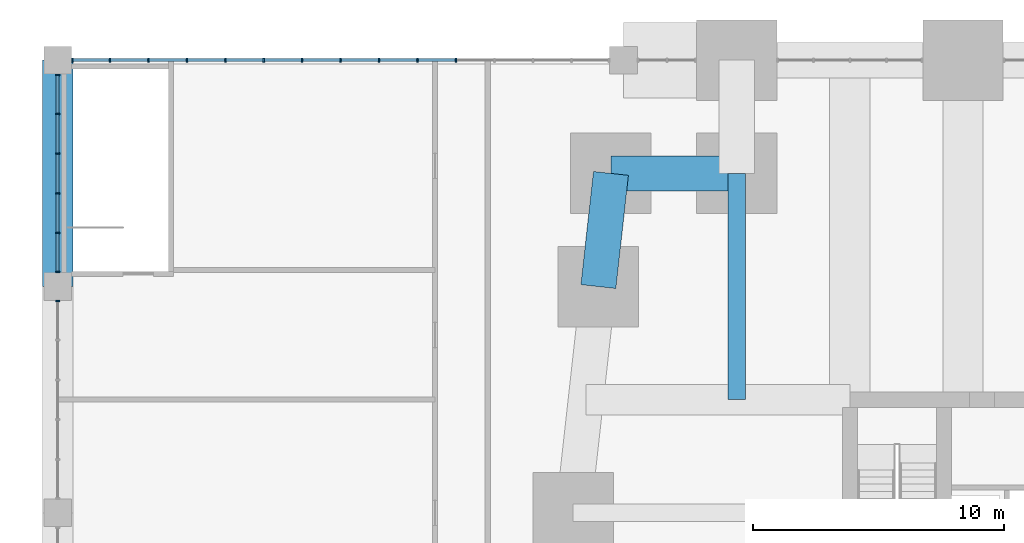
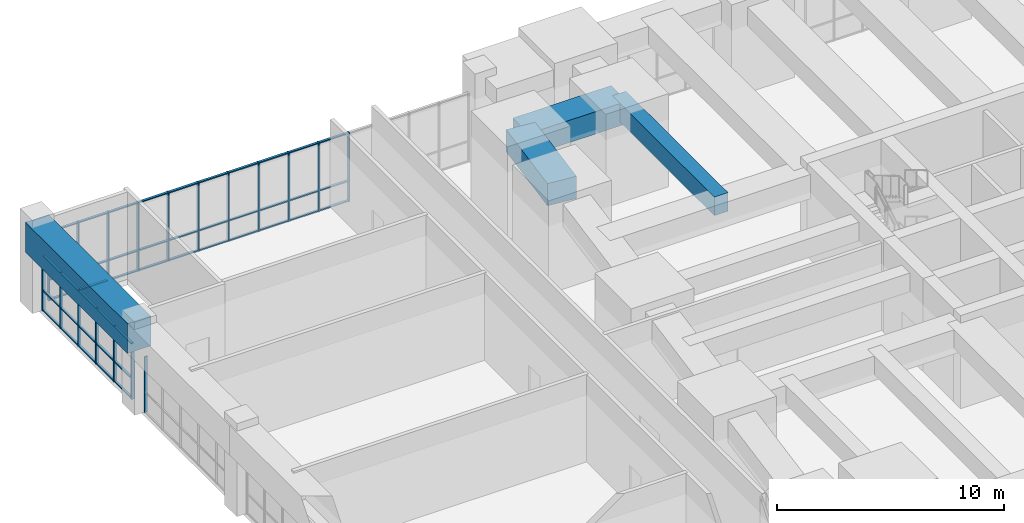
# One storey, part 8 of 22: 63 members, 4 beams, 3 elements without a shape of their own.
"""IFC4 building model written with IfcOpenShell, lengths in metres."""

from ifc_helpers import new_model, si_unit, direction, frame, origin, origin_2d, place, context, subcontext, project, spatial, rectangle, extrude, material, material_profile, profile_set, type_object, element, aggregate, save


model = new_model("IFC4")

# Units and contexts
model_context = context("Model", 3, precision=1e-05, world=origin(), true_north=direction((0.0, 1.0)))
body_context = subcontext(model_context, "Body", "Model", "MODEL_VIEW")
ifc_project = project(units=[si_unit("LENGTHUNIT", "METRE"), si_unit("AREAUNIT", "SQUARE_METRE"), si_unit("VOLUMEUNIT", "CUBIC_METRE"), si_unit("PLANEANGLEUNIT", "RADIAN"), si_unit("MASSUNIT", "GRAM", prefix="KILO")], contexts=[model_context])

# Site, building, storey
site_placement = place(None, origin())
site = spatial("IfcSite", under=ifc_project, at=site_placement, CompositionType="ELEMENT")
building_placement = place(site_placement, origin())
building = spatial("IfcBuilding", under=site, at=building_placement, Name="Kilele Tower Hotel", CompositionType="ELEMENT")
storey_placement = place(building_placement, frame((0.0, 0.0, 19.0)))
storey = spatial("IfcBuildingStorey", under=building, at=storey_placement, Name="L03", CompositionType="ELEMENT", Elevation=19.0)

# Beams
ifc_material_1 = material(Name="Concrete C60/75", Category="concrete")
ifc_material_profile_1 = material_profile(ifc_material_1, rectangle(XDim=1.199951171875, YDim=1.60009765625, at=origin_2d()))
ifc_profile_set_1 = profile_set([ifc_material_profile_1], Name="Concrete C60/75")
beam_type_1 = type_object("IfcBeamType", Name="Beam RC 1200x1600 C60/75", PredefinedType="BEAM", material=ifc_profile_set_1)
beam_1_placement = place(storey_placement, frame((-18.0, 31.5, 3.800048828125), z_axis=(0.0, 1.0, 0.0), x_axis=(-1.0, 0.0, 0.0)))
element("IfcBeam", 1, at=beam_1_placement, inside=storey, type_object=beam_type_1, Name="Beam PB2 level L04", PredefinedType="BEAM", context=body_context, shape_type="SweptSolid", body=[
    extrude(rectangle(XDim=1.199951171875, YDim=1.60009765625, at=origin_2d()), origin(), (0.0, 0.0, 1.0), 9.0),
])
ifc_material_2 = material(Name="Concrete C60/75", Category="concrete")
ifc_material_profile_2 = material_profile(ifc_material_2, rectangle(XDim=0.699951171875, YDim=1.0, at=origin_2d()))
ifc_profile_set_2 = profile_set([ifc_material_profile_2], Name="Concrete C60/75")
beam_type_2 = type_object("IfcBeamType", Name="Beam RC 700x1000 C60/75 mid span", PredefinedType="BEAM", material=ifc_profile_set_2)
beam_2_placement = place(storey_placement, frame((9.0, 36.0, 4.10009765625), z_axis=(0.0, -1.0, 0.0), x_axis=(1.0, 0.0, 0.0)))
element("IfcBeam", 2, at=beam_2_placement, inside=storey, type_object=beam_type_2, Name="Beam B5 level L04", PredefinedType="BEAM", context=body_context, shape_type="SweptSolid", body=[
    extrude(rectangle(XDim=0.699951171875, YDim=1.0, at=origin_2d()), origin(), (0.0, 0.0, 1.0), 9.0),
])

# Curtain wall, members
ifc_material_3 = material(Name="Aluminium curtain wall, clear double glazing", Category="aluminium")
curtain_wall_type_1 = type_object("IfcCurtainWallType", Name="Podium curtain wall CW-1", PredefinedType="NOTDEFINED", material=ifc_material_3)
curtain_wall_1_placement = place(storey_placement, origin())
curtain_wall_1 = element("IfcCurtainWall", 3, at=curtain_wall_1_placement, inside=storey, type_object=curtain_wall_type_1, Name="Podium curtain wall CW-1 L03", PredefinedType="NOTDEFINED")
ifc_material_4 = material(Name="Aluminium EN AW-6063 T6", Category="aluminium")
ifc_material_profile_3 = material_profile(ifc_material_4, rectangle(XDim=0.159912109375, YDim=0.06005859375, at=origin_2d()))
ifc_profile_set_3 = profile_set([ifc_material_profile_3], Name="Aluminium EN AW-6063 T6")
member_type_1 = type_object("IfcMemberType", Name="Mullion 60x160 CW-1", PredefinedType="MULLION", material=ifc_profile_set_3)
member_1_placement = place(storey_placement, frame((-2.164306640625, 40.5, 0.0), z_axis=(0.0, 0.0, 1.0), x_axis=(0.0, -1.0, 0.0)))
member_1 = element("IfcMember", 4, at=member_1_placement, type_object=member_type_1, Name="CW-1 mullion 5", PredefinedType="MULLION", context=body_context, shape_type="SweptSolid", body=[
    extrude(rectangle(XDim=0.159912109375, YDim=0.06005859375, at=origin_2d()), origin(), (0.0, 0.0, 1.0), 3.699951171875),
])
member_2_placement = place(storey_placement, frame((-3.69287109375, 40.5, 0.0), z_axis=(0.0, 0.0, 1.0), x_axis=(0.0, -1.0, 0.0)))
member_2 = element("IfcMember", 5, at=member_2_placement, type_object=member_type_1, Name="CW-1 mullion 6", PredefinedType="MULLION", context=body_context, shape_type="SweptSolid", body=[
    extrude(rectangle(XDim=0.159912109375, YDim=0.06005859375, at=origin_2d()), origin(), (0.0, 0.0, 1.0), 3.699951171875),
])
member_3_placement = place(storey_placement, frame((-5.221435546875, 40.5, 0.0), z_axis=(0.0, 0.0, 1.0), x_axis=(0.0, -1.0, 0.0)))
member_3 = element("IfcMember", 6, at=member_3_placement, type_object=member_type_1, Name="CW-1 mullion 7", PredefinedType="MULLION", context=body_context, shape_type="SweptSolid", body=[
    extrude(rectangle(XDim=0.159912109375, YDim=0.06005859375, at=origin_2d()), origin(), (0.0, 0.0, 1.0), 3.699951171875),
])
member_4_placement = place(storey_placement, frame((-6.75, 40.5, 0.0), z_axis=(0.0, 0.0, 1.0), x_axis=(0.0, -1.0, 0.0)))
member_4 = element("IfcMember", 7, at=member_4_placement, type_object=member_type_1, Name="CW-1 mullion 8", PredefinedType="MULLION", context=body_context, shape_type="SweptSolid", body=[
    extrude(rectangle(XDim=0.159912109375, YDim=0.06005859375, at=origin_2d()), origin(), (0.0, 0.0, 1.0), 3.699951171875),
])
member_5_placement = place(storey_placement, frame((-8.278564453125, 40.5, 0.0), z_axis=(0.0, 0.0, 1.0), x_axis=(0.0, -1.0, 0.0)))
member_5 = element("IfcMember", 8, at=member_5_placement, type_object=member_type_1, Name="CW-1 mullion 9", PredefinedType="MULLION", context=body_context, shape_type="SweptSolid", body=[
    extrude(rectangle(XDim=0.159912109375, YDim=0.06005859375, at=origin_2d()), origin(), (0.0, 0.0, 1.0), 3.699951171875),
])
member_6_placement = place(storey_placement, frame((-9.80712890625, 40.5, 0.0), z_axis=(0.0, 0.0, 1.0), x_axis=(0.0, -1.0, 0.0)))
member_6 = element("IfcMember", 9, at=member_6_placement, type_object=member_type_1, Name="CW-1 mullion 10", PredefinedType="MULLION", context=body_context, shape_type="SweptSolid", body=[
    extrude(rectangle(XDim=0.159912109375, YDim=0.06005859375, at=origin_2d()), origin(), (0.0, 0.0, 1.0), 3.699951171875),
])
member_7_placement = place(storey_placement, frame((-11.335693359375, 40.5, 0.0), z_axis=(0.0, 0.0, 1.0), x_axis=(0.0, -1.0, 0.0)))
member_7 = element("IfcMember", 10, at=member_7_placement, type_object=member_type_1, Name="CW-1 mullion 11", PredefinedType="MULLION", context=body_context, shape_type="SweptSolid", body=[
    extrude(rectangle(XDim=0.159912109375, YDim=0.06005859375, at=origin_2d()), origin(), (0.0, 0.0, 1.0), 3.699951171875),
])
member_8_placement = place(storey_placement, frame((-12.8642578125, 40.5, 0.0), z_axis=(0.0, 0.0, 1.0), x_axis=(0.0, -1.0, 0.0)))
member_8 = element("IfcMember", 11, at=member_8_placement, type_object=member_type_1, Name="CW-1 mullion 12", PredefinedType="MULLION", context=body_context, shape_type="SweptSolid", body=[
    extrude(rectangle(XDim=0.159912109375, YDim=0.06005859375, at=origin_2d()), origin(), (0.0, 0.0, 1.0), 3.699951171875),
])
member_9_placement = place(storey_placement, frame((-14.392822265625, 40.5, 0.0), z_axis=(0.0, 0.0, 1.0), x_axis=(0.0, -1.0, 0.0)))
member_9 = element("IfcMember", 12, at=member_9_placement, type_object=member_type_1, Name="CW-1 mullion 13", PredefinedType="MULLION", context=body_context, shape_type="SweptSolid", body=[
    extrude(rectangle(XDim=0.159912109375, YDim=0.06005859375, at=origin_2d()), origin(), (0.0, 0.0, 1.0), 3.699951171875),
])
member_10_placement = place(storey_placement, frame((-15.92138671875, 40.5, 0.0), z_axis=(0.0, 0.0, 1.0), x_axis=(0.0, -1.0, 0.0)))
member_10 = element("IfcMember", 13, at=member_10_placement, type_object=member_type_1, Name="CW-1 mullion 14", PredefinedType="MULLION", context=body_context, shape_type="SweptSolid", body=[
    extrude(rectangle(XDim=0.159912109375, YDim=0.06005859375, at=origin_2d()), origin(), (0.0, 0.0, 1.0), 3.699951171875),
])
member_11_placement = place(storey_placement, frame((-17.419921875, 40.5, 0.0), z_axis=(0.0, 0.0, 1.0), x_axis=(0.0, -1.0, 0.0)))
member_11 = element("IfcMember", 14, at=member_11_placement, type_object=member_type_1, Name="CW-1 mullion 15", PredefinedType="MULLION", context=body_context, shape_type="SweptSolid", body=[
    extrude(rectangle(XDim=0.159912109375, YDim=0.06005859375, at=origin_2d()), origin(), (0.0, 0.0, 1.0), 3.699951171875),
])

ifc_material_5 = material(Name="Aluminium curtain wall, clear double glazing", Category="aluminium")
curtain_wall_type_2 = type_object("IfcCurtainWallType", Name="Podium side curtain wall CW-2", PredefinedType="NOTDEFINED", material=ifc_material_5)
curtain_wall_2_placement = place(storey_placement, origin())
curtain_wall_2 = element("IfcCurtainWall", 15, at=curtain_wall_2_placement, inside=storey, type_object=curtain_wall_type_2, Name="Podium side curtain wall CW-2 L03", PredefinedType="NOTDEFINED")
ifc_material_6 = material(Name="Aluminium EN AW-6063 T6", Category="aluminium")
ifc_material_profile_4 = material_profile(ifc_material_6, rectangle(XDim=0.159912109375, YDim=0.06005859375, at=origin_2d()))
ifc_profile_set_4 = profile_set([ifc_material_profile_4], Name="Aluminium EN AW-6063 T6")
member_type_2 = type_object("IfcMemberType", Name="Mullion 60x160 CW-2", PredefinedType="MULLION", material=ifc_profile_set_4)
member_12_placement = place(storey_placement, frame((-18.0, 39.919921875, 0.0), z_axis=(0.0, 0.0, 1.0), x_axis=(1.0, 0.0, 0.0)))
member_12 = element("IfcMember", 16, at=member_12_placement, type_object=member_type_2, Name="CW-2 mullion 1", PredefinedType="MULLION", context=body_context, shape_type="SweptSolid", body=[
    extrude(rectangle(XDim=0.159912109375, YDim=0.06005859375, at=origin_2d()), origin(), (0.0, 0.0, 1.0), 3.0),
])
member_13_placement = place(storey_placement, frame((-18.0, 38.3701171875, 0.0), z_axis=(0.0, 0.0, 1.0), x_axis=(1.0, 0.0, 0.0)))
member_13 = element("IfcMember", 17, at=member_13_placement, type_object=member_type_2, Name="CW-2 mullion 2", PredefinedType="MULLION", context=body_context, shape_type="SweptSolid", body=[
    extrude(rectangle(XDim=0.159912109375, YDim=0.06005859375, at=origin_2d()), origin(), (0.0, 0.0, 1.0), 3.0),
])
member_14_placement = place(storey_placement, frame((-18.0, 36.7900390625, 0.0), z_axis=(0.0, 0.0, 1.0), x_axis=(1.0, 0.0, 0.0)))
member_14 = element("IfcMember", 18, at=member_14_placement, type_object=member_type_2, Name="CW-2 mullion 3", PredefinedType="MULLION", context=body_context, shape_type="SweptSolid", body=[
    extrude(rectangle(XDim=0.159912109375, YDim=0.06005859375, at=origin_2d()), origin(), (0.0, 0.0, 1.0), 3.0),
])
member_15_placement = place(storey_placement, frame((-18.0, 35.2099609375, 0.0), z_axis=(0.0, 0.0, 1.0), x_axis=(1.0, 0.0, 0.0)))
member_15 = element("IfcMember", 19, at=member_15_placement, type_object=member_type_2, Name="CW-2 mullion 4", PredefinedType="MULLION", context=body_context, shape_type="SweptSolid", body=[
    extrude(rectangle(XDim=0.159912109375, YDim=0.06005859375, at=origin_2d()), origin(), (0.0, 0.0, 1.0), 3.0),
])
member_16_placement = place(storey_placement, frame((-18.0, 33.6298828125, 0.0), z_axis=(0.0, 0.0, 1.0), x_axis=(1.0, 0.0, 0.0)))
member_16 = element("IfcMember", 20, at=member_16_placement, type_object=member_type_2, Name="CW-2 mullion 5", PredefinedType="MULLION", context=body_context, shape_type="SweptSolid", body=[
    extrude(rectangle(XDim=0.159912109375, YDim=0.06005859375, at=origin_2d()), origin(), (0.0, 0.0, 1.0), 3.0),
])
member_17_placement = place(storey_placement, frame((-18.0, 32.080078125, 0.0), z_axis=(0.0, 0.0, 1.0), x_axis=(1.0, 0.0, 0.0)))
member_17 = element("IfcMember", 21, at=member_17_placement, type_object=member_type_2, Name="CW-2 mullion 6", PredefinedType="MULLION", context=body_context, shape_type="SweptSolid", body=[
    extrude(rectangle(XDim=0.159912109375, YDim=0.06005859375, at=origin_2d()), origin(), (0.0, 0.0, 1.0), 3.0),
])

# Curtain wall, member
curtain_wall_3_placement = place(storey_placement, origin())
curtain_wall_3 = element("IfcCurtainWall", 22, at=curtain_wall_3_placement, inside=storey, type_object=curtain_wall_type_2, Name="Podium side curtain wall CW-2 L03", PredefinedType="NOTDEFINED")
member_18_placement = place(storey_placement, frame((-18.0, 30.919921875, 0.0), z_axis=(0.0, 0.0, 1.0), x_axis=(1.0, 0.0, 0.0)))
member_18 = element("IfcMember", 23, at=member_18_placement, type_object=member_type_2, Name="CW-2 mullion 1", PredefinedType="MULLION", context=body_context, shape_type="SweptSolid", body=[
    extrude(rectangle(XDim=0.159912109375, YDim=0.06005859375, at=origin_2d()), origin(), (0.0, 0.0, 1.0), 3.0),
])
aggregate(curtain_wall_3, [member_18])

# Beams
ifc_material_7 = material(Name="Concrete C60/75", Category="concrete")
ifc_material_profile_5 = material_profile(ifc_material_7, rectangle(XDim=1.39990234375, YDim=1.199951171875, at=origin_2d()))
ifc_profile_set_5 = profile_set([ifc_material_profile_5], Name="Concrete C60/75")
beam_type_3 = type_object("IfcBeamType", Name="Spandrel RC 1400x1200 C60/75", PredefinedType="SPANDREL", material=ifc_profile_set_5)
beam_3_placement = place(storey_placement, frame((9.0, 36.0, 4.0), z_axis=(-1.0, 0.0, 0.0), x_axis=(0.0, -1.0, 0.0)))
element("IfcBeam", 24, at=beam_3_placement, inside=storey, type_object=beam_type_3, Name="Spandrel SP10 level L04", PredefinedType="SPANDREL", context=body_context, shape_type="SweptSolid", body=[
    extrude(rectangle(XDim=1.39990234375, YDim=1.199951171875, at=origin_2d()), origin(), (0.0, 0.0, 1.0), 5.0),
])
beam_4_placement = place(storey_placement, frame((4.0, 36.0, 4.0), z_axis=(-0.110431526075, -0.993883734674, 0.0), x_axis=(0.993883734674, -0.110431526075, 0.0)))
element("IfcBeam", 25, at=beam_4_placement, inside=storey, type_object=beam_type_3, Name="Spandrel SP10 level L04", PredefinedType="SPANDREL", context=body_context, shape_type="SweptSolid", body=[
    extrude(rectangle(XDim=1.39990234375, YDim=1.199951171875, at=origin_2d()), origin(), (0.0, 0.0, 1.0), 4.527587890625),
])

# Member
ifc_material_8 = material(Name="Aluminium EN AW-6063 T6", Category="aluminium")
ifc_material_profile_6 = material_profile(ifc_material_8, rectangle(XDim=0.1201171875, YDim=0.06005859375, at=origin_2d()))
ifc_profile_set_6 = profile_set([ifc_material_profile_6], Name="Aluminium EN AW-6063 T6")
member_type_3 = type_object("IfcMemberType", Name="Transom 60x120 CW-1", PredefinedType="USERDEFINED", material=ifc_profile_set_6)
member_19_placement = place(storey_placement, frame((-2.1943359375, 40.5, 0.030029296875), z_axis=(-1.0, 0.0, 0.0), x_axis=(0.0, -1.0, 0.0)))
member_19 = element("IfcMember", 26, at=member_19_placement, type_object=member_type_3, Name="CW-1 transom 5.1", ObjectType="TRANSOM", PredefinedType="USERDEFINED", context=body_context, shape_type="SweptSolid", body=[
    extrude(rectangle(XDim=0.1201171875, YDim=0.06005859375, at=origin_2d()), origin(), (0.0, 0.0, 1.0), 1.468505859375),
])

member_20_placement = place(storey_placement, frame((-2.1943359375, 40.5, 1.10009765625), z_axis=(-1.0, 0.0, 0.0), x_axis=(0.0, -1.0, 0.0)))
member_20 = element("IfcMember", 27, at=member_20_placement, type_object=member_type_3, Name="CW-1 transom 5.2", ObjectType="TRANSOM", PredefinedType="USERDEFINED", context=body_context, shape_type="SweptSolid", body=[
    extrude(rectangle(XDim=0.1201171875, YDim=0.06005859375, at=origin_2d()), origin(), (0.0, 0.0, 1.0), 1.468505859375),
])

member_21_placement = place(storey_placement, frame((-2.1943359375, 40.5, 3.669921875), z_axis=(-1.0, 0.0, 0.0), x_axis=(0.0, -1.0, 0.0)))
member_21 = element("IfcMember", 28, at=member_21_placement, type_object=member_type_3, Name="CW-1 transom 5.3", ObjectType="TRANSOM", PredefinedType="USERDEFINED", context=body_context, shape_type="SweptSolid", body=[
    extrude(rectangle(XDim=0.1201171875, YDim=0.06005859375, at=origin_2d()), origin(), (0.0, 0.0, 1.0), 1.468505859375),
])

member_22_placement = place(storey_placement, frame((-3.722900390625, 40.5, 0.030029296875), z_axis=(-1.0, 0.0, 0.0), x_axis=(0.0, -1.0, 0.0)))
member_22 = element("IfcMember", 29, at=member_22_placement, type_object=member_type_3, Name="CW-1 transom 6.1", ObjectType="TRANSOM", PredefinedType="USERDEFINED", context=body_context, shape_type="SweptSolid", body=[
    extrude(rectangle(XDim=0.1201171875, YDim=0.06005859375, at=origin_2d()), origin(), (0.0, 0.0, 1.0), 1.468505859375),
])

member_23_placement = place(storey_placement, frame((-3.722900390625, 40.5, 1.10009765625), z_axis=(-1.0, 0.0, 0.0), x_axis=(0.0, -1.0, 0.0)))
member_23 = element("IfcMember", 30, at=member_23_placement, type_object=member_type_3, Name="CW-1 transom 6.2", ObjectType="TRANSOM", PredefinedType="USERDEFINED", context=body_context, shape_type="SweptSolid", body=[
    extrude(rectangle(XDim=0.1201171875, YDim=0.06005859375, at=origin_2d()), origin(), (0.0, 0.0, 1.0), 1.468505859375),
])

member_24_placement = place(storey_placement, frame((-3.722900390625, 40.5, 3.669921875), z_axis=(-1.0, 0.0, 0.0), x_axis=(0.0, -1.0, 0.0)))
member_24 = element("IfcMember", 31, at=member_24_placement, type_object=member_type_3, Name="CW-1 transom 6.3", ObjectType="TRANSOM", PredefinedType="USERDEFINED", context=body_context, shape_type="SweptSolid", body=[
    extrude(rectangle(XDim=0.1201171875, YDim=0.06005859375, at=origin_2d()), origin(), (0.0, 0.0, 1.0), 1.468505859375),
])

member_25_placement = place(storey_placement, frame((-5.25146484375, 40.5, 0.030029296875), z_axis=(-1.0, 0.0, 0.0), x_axis=(0.0, -1.0, 0.0)))
member_25 = element("IfcMember", 32, at=member_25_placement, type_object=member_type_3, Name="CW-1 transom 7.1", ObjectType="TRANSOM", PredefinedType="USERDEFINED", context=body_context, shape_type="SweptSolid", body=[
    extrude(rectangle(XDim=0.1201171875, YDim=0.06005859375, at=origin_2d()), origin(), (0.0, 0.0, 1.0), 1.468505859375),
])

member_26_placement = place(storey_placement, frame((-5.25146484375, 40.5, 1.10009765625), z_axis=(-1.0, 0.0, 0.0), x_axis=(0.0, -1.0, 0.0)))
member_26 = element("IfcMember", 33, at=member_26_placement, type_object=member_type_3, Name="CW-1 transom 7.2", ObjectType="TRANSOM", PredefinedType="USERDEFINED", context=body_context, shape_type="SweptSolid", body=[
    extrude(rectangle(XDim=0.1201171875, YDim=0.06005859375, at=origin_2d()), origin(), (0.0, 0.0, 1.0), 1.468505859375),
])

member_27_placement = place(storey_placement, frame((-5.25146484375, 40.5, 3.669921875), z_axis=(-1.0, 0.0, 0.0), x_axis=(0.0, -1.0, 0.0)))
member_27 = element("IfcMember", 34, at=member_27_placement, type_object=member_type_3, Name="CW-1 transom 7.3", ObjectType="TRANSOM", PredefinedType="USERDEFINED", context=body_context, shape_type="SweptSolid", body=[
    extrude(rectangle(XDim=0.1201171875, YDim=0.06005859375, at=origin_2d()), origin(), (0.0, 0.0, 1.0), 1.468505859375),
])

member_28_placement = place(storey_placement, frame((-6.780029296875, 40.5, 0.030029296875), z_axis=(-1.0, 0.0, 0.0), x_axis=(0.0, -1.0, 0.0)))
member_28 = element("IfcMember", 35, at=member_28_placement, type_object=member_type_3, Name="CW-1 transom 8.1", ObjectType="TRANSOM", PredefinedType="USERDEFINED", context=body_context, shape_type="SweptSolid", body=[
    extrude(rectangle(XDim=0.1201171875, YDim=0.06005859375, at=origin_2d()), origin(), (0.0, 0.0, 1.0), 1.468505859375),
])

member_29_placement = place(storey_placement, frame((-6.780029296875, 40.5, 1.10009765625), z_axis=(-1.0, 0.0, 0.0), x_axis=(0.0, -1.0, 0.0)))
member_29 = element("IfcMember", 36, at=member_29_placement, type_object=member_type_3, Name="CW-1 transom 8.2", ObjectType="TRANSOM", PredefinedType="USERDEFINED", context=body_context, shape_type="SweptSolid", body=[
    extrude(rectangle(XDim=0.1201171875, YDim=0.06005859375, at=origin_2d()), origin(), (0.0, 0.0, 1.0), 1.468505859375),
])

member_30_placement = place(storey_placement, frame((-6.780029296875, 40.5, 3.669921875), z_axis=(-1.0, 0.0, 0.0), x_axis=(0.0, -1.0, 0.0)))
member_30 = element("IfcMember", 37, at=member_30_placement, type_object=member_type_3, Name="CW-1 transom 8.3", ObjectType="TRANSOM", PredefinedType="USERDEFINED", context=body_context, shape_type="SweptSolid", body=[
    extrude(rectangle(XDim=0.1201171875, YDim=0.06005859375, at=origin_2d()), origin(), (0.0, 0.0, 1.0), 1.468505859375),
])

member_31_placement = place(storey_placement, frame((-8.30859375, 40.5, 0.030029296875), z_axis=(-1.0, 0.0, 0.0), x_axis=(0.0, -1.0, 0.0)))
member_31 = element("IfcMember", 38, at=member_31_placement, type_object=member_type_3, Name="CW-1 transom 9.1", ObjectType="TRANSOM", PredefinedType="USERDEFINED", context=body_context, shape_type="SweptSolid", body=[
    extrude(rectangle(XDim=0.1201171875, YDim=0.06005859375, at=origin_2d()), origin(), (0.0, 0.0, 1.0), 1.468505859375),
])

member_32_placement = place(storey_placement, frame((-8.30859375, 40.5, 1.10009765625), z_axis=(-1.0, 0.0, 0.0), x_axis=(0.0, -1.0, 0.0)))
member_32 = element("IfcMember", 39, at=member_32_placement, type_object=member_type_3, Name="CW-1 transom 9.2", ObjectType="TRANSOM", PredefinedType="USERDEFINED", context=body_context, shape_type="SweptSolid", body=[
    extrude(rectangle(XDim=0.1201171875, YDim=0.06005859375, at=origin_2d()), origin(), (0.0, 0.0, 1.0), 1.468505859375),
])

member_33_placement = place(storey_placement, frame((-8.30859375, 40.5, 3.669921875), z_axis=(-1.0, 0.0, 0.0), x_axis=(0.0, -1.0, 0.0)))
member_33 = element("IfcMember", 40, at=member_33_placement, type_object=member_type_3, Name="CW-1 transom 9.3", ObjectType="TRANSOM", PredefinedType="USERDEFINED", context=body_context, shape_type="SweptSolid", body=[
    extrude(rectangle(XDim=0.1201171875, YDim=0.06005859375, at=origin_2d()), origin(), (0.0, 0.0, 1.0), 1.468505859375),
])

member_34_placement = place(storey_placement, frame((-9.837158203125, 40.5, 0.030029296875), z_axis=(-1.0, 0.0, 0.0), x_axis=(0.0, -1.0, 0.0)))
member_34 = element("IfcMember", 41, at=member_34_placement, type_object=member_type_3, Name="CW-1 transom 10.1", ObjectType="TRANSOM", PredefinedType="USERDEFINED", context=body_context, shape_type="SweptSolid", body=[
    extrude(rectangle(XDim=0.1201171875, YDim=0.06005859375, at=origin_2d()), origin(), (0.0, 0.0, 1.0), 1.468505859375),
])

member_35_placement = place(storey_placement, frame((-9.837158203125, 40.5, 1.10009765625), z_axis=(-1.0, 0.0, 0.0), x_axis=(0.0, -1.0, 0.0)))
member_35 = element("IfcMember", 42, at=member_35_placement, type_object=member_type_3, Name="CW-1 transom 10.2", ObjectType="TRANSOM", PredefinedType="USERDEFINED", context=body_context, shape_type="SweptSolid", body=[
    extrude(rectangle(XDim=0.1201171875, YDim=0.06005859375, at=origin_2d()), origin(), (0.0, 0.0, 1.0), 1.468505859375),
])

member_36_placement = place(storey_placement, frame((-9.837158203125, 40.5, 3.669921875), z_axis=(-1.0, 0.0, 0.0), x_axis=(0.0, -1.0, 0.0)))
member_36 = element("IfcMember", 43, at=member_36_placement, type_object=member_type_3, Name="CW-1 transom 10.3", ObjectType="TRANSOM", PredefinedType="USERDEFINED", context=body_context, shape_type="SweptSolid", body=[
    extrude(rectangle(XDim=0.1201171875, YDim=0.06005859375, at=origin_2d()), origin(), (0.0, 0.0, 1.0), 1.468505859375),
])

member_37_placement = place(storey_placement, frame((-11.36572265625, 40.5, 0.030029296875), z_axis=(-1.0, 0.0, 0.0), x_axis=(0.0, -1.0, 0.0)))
member_37 = element("IfcMember", 44, at=member_37_placement, type_object=member_type_3, Name="CW-1 transom 11.1", ObjectType="TRANSOM", PredefinedType="USERDEFINED", context=body_context, shape_type="SweptSolid", body=[
    extrude(rectangle(XDim=0.1201171875, YDim=0.06005859375, at=origin_2d()), origin(), (0.0, 0.0, 1.0), 1.468505859375),
])

member_38_placement = place(storey_placement, frame((-11.36572265625, 40.5, 1.10009765625), z_axis=(-1.0, 0.0, 0.0), x_axis=(0.0, -1.0, 0.0)))
member_38 = element("IfcMember", 45, at=member_38_placement, type_object=member_type_3, Name="CW-1 transom 11.2", ObjectType="TRANSOM", PredefinedType="USERDEFINED", context=body_context, shape_type="SweptSolid", body=[
    extrude(rectangle(XDim=0.1201171875, YDim=0.06005859375, at=origin_2d()), origin(), (0.0, 0.0, 1.0), 1.468505859375),
])

member_39_placement = place(storey_placement, frame((-11.36572265625, 40.5, 3.669921875), z_axis=(-1.0, 0.0, 0.0), x_axis=(0.0, -1.0, 0.0)))
member_39 = element("IfcMember", 46, at=member_39_placement, type_object=member_type_3, Name="CW-1 transom 11.3", ObjectType="TRANSOM", PredefinedType="USERDEFINED", context=body_context, shape_type="SweptSolid", body=[
    extrude(rectangle(XDim=0.1201171875, YDim=0.06005859375, at=origin_2d()), origin(), (0.0, 0.0, 1.0), 1.468505859375),
])

member_40_placement = place(storey_placement, frame((-12.894287109375, 40.5, 0.030029296875), z_axis=(-1.0, 0.0, 0.0), x_axis=(0.0, -1.0, 0.0)))
member_40 = element("IfcMember", 47, at=member_40_placement, type_object=member_type_3, Name="CW-1 transom 12.1", ObjectType="TRANSOM", PredefinedType="USERDEFINED", context=body_context, shape_type="SweptSolid", body=[
    extrude(rectangle(XDim=0.1201171875, YDim=0.06005859375, at=origin_2d()), origin(), (0.0, 0.0, 1.0), 1.468505859375),
])

member_41_placement = place(storey_placement, frame((-12.894287109375, 40.5, 1.10009765625), z_axis=(-1.0, 0.0, 0.0), x_axis=(0.0, -1.0, 0.0)))
member_41 = element("IfcMember", 48, at=member_41_placement, type_object=member_type_3, Name="CW-1 transom 12.2", ObjectType="TRANSOM", PredefinedType="USERDEFINED", context=body_context, shape_type="SweptSolid", body=[
    extrude(rectangle(XDim=0.1201171875, YDim=0.06005859375, at=origin_2d()), origin(), (0.0, 0.0, 1.0), 1.468505859375),
])

member_42_placement = place(storey_placement, frame((-12.894287109375, 40.5, 3.669921875), z_axis=(-1.0, 0.0, 0.0), x_axis=(0.0, -1.0, 0.0)))
member_42 = element("IfcMember", 49, at=member_42_placement, type_object=member_type_3, Name="CW-1 transom 12.3", ObjectType="TRANSOM", PredefinedType="USERDEFINED", context=body_context, shape_type="SweptSolid", body=[
    extrude(rectangle(XDim=0.1201171875, YDim=0.06005859375, at=origin_2d()), origin(), (0.0, 0.0, 1.0), 1.468505859375),
])

member_43_placement = place(storey_placement, frame((-14.4228515625, 40.5, 0.030029296875), z_axis=(-1.0, 0.0, 0.0), x_axis=(0.0, -1.0, 0.0)))
member_43 = element("IfcMember", 50, at=member_43_placement, type_object=member_type_3, Name="CW-1 transom 13.1", ObjectType="TRANSOM", PredefinedType="USERDEFINED", context=body_context, shape_type="SweptSolid", body=[
    extrude(rectangle(XDim=0.1201171875, YDim=0.06005859375, at=origin_2d()), origin(), (0.0, 0.0, 1.0), 1.468505859375),
])

member_44_placement = place(storey_placement, frame((-14.4228515625, 40.5, 1.10009765625), z_axis=(-1.0, 0.0, 0.0), x_axis=(0.0, -1.0, 0.0)))
member_44 = element("IfcMember", 51, at=member_44_placement, type_object=member_type_3, Name="CW-1 transom 13.2", ObjectType="TRANSOM", PredefinedType="USERDEFINED", context=body_context, shape_type="SweptSolid", body=[
    extrude(rectangle(XDim=0.1201171875, YDim=0.06005859375, at=origin_2d()), origin(), (0.0, 0.0, 1.0), 1.468505859375),
])

member_45_placement = place(storey_placement, frame((-14.4228515625, 40.5, 3.669921875), z_axis=(-1.0, 0.0, 0.0), x_axis=(0.0, -1.0, 0.0)))
member_45 = element("IfcMember", 52, at=member_45_placement, type_object=member_type_3, Name="CW-1 transom 13.3", ObjectType="TRANSOM", PredefinedType="USERDEFINED", context=body_context, shape_type="SweptSolid", body=[
    extrude(rectangle(XDim=0.1201171875, YDim=0.06005859375, at=origin_2d()), origin(), (0.0, 0.0, 1.0), 1.468505859375),
])

member_46_placement = place(storey_placement, frame((-15.951416015625, 40.5, 0.030029296875), z_axis=(-1.0, 0.0, 0.0), x_axis=(0.0, -1.0, 0.0)))
member_46 = element("IfcMember", 53, at=member_46_placement, type_object=member_type_3, Name="CW-1 transom 14.1", ObjectType="TRANSOM", PredefinedType="USERDEFINED", context=body_context, shape_type="SweptSolid", body=[
    extrude(rectangle(XDim=0.1201171875, YDim=0.06005859375, at=origin_2d()), origin(), (0.0, 0.0, 1.0), 1.4384765625),
])

member_47_placement = place(storey_placement, frame((-15.951416015625, 40.5, 1.10009765625), z_axis=(-1.0, 0.0, 0.0), x_axis=(0.0, -1.0, 0.0)))
member_47 = element("IfcMember", 54, at=member_47_placement, type_object=member_type_3, Name="CW-1 transom 14.2", ObjectType="TRANSOM", PredefinedType="USERDEFINED", context=body_context, shape_type="SweptSolid", body=[
    extrude(rectangle(XDim=0.1201171875, YDim=0.06005859375, at=origin_2d()), origin(), (0.0, 0.0, 1.0), 1.4384765625),
])

member_48_placement = place(storey_placement, frame((-15.951416015625, 40.5, 3.669921875), z_axis=(-1.0, 0.0, 0.0), x_axis=(0.0, -1.0, 0.0)))
member_48 = element("IfcMember", 55, at=member_48_placement, type_object=member_type_3, Name="CW-1 transom 14.3", ObjectType="TRANSOM", PredefinedType="USERDEFINED", context=body_context, shape_type="SweptSolid", body=[
    extrude(rectangle(XDim=0.1201171875, YDim=0.06005859375, at=origin_2d()), origin(), (0.0, 0.0, 1.0), 1.4384765625),
])

aggregate(curtain_wall_1, [member_1, member_2, member_3, member_4, member_5, member_6, member_7, member_8, member_9, member_10, member_11, member_19, member_20, member_21, member_22, member_23, member_24, member_25, member_26, member_27, member_28, member_29, member_30, member_31, member_32, member_33, member_34, member_35, member_36, member_37, member_38, member_39, member_40, member_41, member_42, member_43, member_44, member_45, member_46, member_47, member_48])

ifc_material_9 = material(Name="Aluminium EN AW-6063 T6", Category="aluminium")
ifc_material_profile_7 = material_profile(ifc_material_9, rectangle(XDim=0.1201171875, YDim=0.06005859375, at=origin_2d()))
ifc_profile_set_7 = profile_set([ifc_material_profile_7], Name="Aluminium EN AW-6063 T6")
member_type_4 = type_object("IfcMemberType", Name="Transom 60x120 CW-2", PredefinedType="USERDEFINED", material=ifc_profile_set_7)
member_49_placement = place(storey_placement, frame((-18.0, 39.889892578125, 0.030029296875), z_axis=(0.0, -1.0, 0.0), x_axis=(1.0, 0.0, 0.0)))
member_49 = element("IfcMember", 56, at=member_49_placement, type_object=member_type_4, Name="CW-2 transom 1.1", ObjectType="TRANSOM", PredefinedType="USERDEFINED", context=body_context, shape_type="SweptSolid", body=[
    extrude(rectangle(XDim=0.1201171875, YDim=0.06005859375, at=origin_2d()), origin(), (0.0, 0.0, 1.0), 1.489990234375),
])

member_50_placement = place(storey_placement, frame((-18.0, 39.889892578125, 1.10009765625), z_axis=(0.0, -1.0, 0.0), x_axis=(1.0, 0.0, 0.0)))
member_50 = element("IfcMember", 57, at=member_50_placement, type_object=member_type_4, Name="CW-2 transom 1.2", ObjectType="TRANSOM", PredefinedType="USERDEFINED", context=body_context, shape_type="SweptSolid", body=[
    extrude(rectangle(XDim=0.1201171875, YDim=0.06005859375, at=origin_2d()), origin(), (0.0, 0.0, 1.0), 1.489990234375),
])

member_51_placement = place(storey_placement, frame((-18.0, 39.889892578125, 2.969970703125), z_axis=(0.0, -1.0, 0.0), x_axis=(1.0, 0.0, 0.0)))
member_51 = element("IfcMember", 58, at=member_51_placement, type_object=member_type_4, Name="CW-2 transom 1.3", ObjectType="TRANSOM", PredefinedType="USERDEFINED", context=body_context, shape_type="SweptSolid", body=[
    extrude(rectangle(XDim=0.1201171875, YDim=0.06005859375, at=origin_2d()), origin(), (0.0, 0.0, 1.0), 1.489990234375),
])

member_52_placement = place(storey_placement, frame((-18.0, 38.340087890625, 0.030029296875), z_axis=(0.0, -1.0, 0.0), x_axis=(1.0, 0.0, 0.0)))
member_52 = element("IfcMember", 59, at=member_52_placement, type_object=member_type_4, Name="CW-2 transom 2.1", ObjectType="TRANSOM", PredefinedType="USERDEFINED", context=body_context, shape_type="SweptSolid", body=[
    extrude(rectangle(XDim=0.1201171875, YDim=0.06005859375, at=origin_2d()), origin(), (0.0, 0.0, 1.0), 1.52001953125),
])

member_53_placement = place(storey_placement, frame((-18.0, 38.340087890625, 1.10009765625), z_axis=(0.0, -1.0, 0.0), x_axis=(1.0, 0.0, 0.0)))
member_53 = element("IfcMember", 60, at=member_53_placement, type_object=member_type_4, Name="CW-2 transom 2.2", ObjectType="TRANSOM", PredefinedType="USERDEFINED", context=body_context, shape_type="SweptSolid", body=[
    extrude(rectangle(XDim=0.1201171875, YDim=0.06005859375, at=origin_2d()), origin(), (0.0, 0.0, 1.0), 1.52001953125),
])

member_54_placement = place(storey_placement, frame((-18.0, 38.340087890625, 2.969970703125), z_axis=(0.0, -1.0, 0.0), x_axis=(1.0, 0.0, 0.0)))
member_54 = element("IfcMember", 61, at=member_54_placement, type_object=member_type_4, Name="CW-2 transom 2.3", ObjectType="TRANSOM", PredefinedType="USERDEFINED", context=body_context, shape_type="SweptSolid", body=[
    extrude(rectangle(XDim=0.1201171875, YDim=0.06005859375, at=origin_2d()), origin(), (0.0, 0.0, 1.0), 1.52001953125),
])

member_55_placement = place(storey_placement, frame((-18.0, 36.760009765625, 0.030029296875), z_axis=(0.0, -1.0, 0.0), x_axis=(1.0, 0.0, 0.0)))
member_55 = element("IfcMember", 62, at=member_55_placement, type_object=member_type_4, Name="CW-2 transom 3.1", ObjectType="TRANSOM", PredefinedType="USERDEFINED", context=body_context, shape_type="SweptSolid", body=[
    extrude(rectangle(XDim=0.1201171875, YDim=0.06005859375, at=origin_2d()), origin(), (0.0, 0.0, 1.0), 1.52001953125),
])

member_56_placement = place(storey_placement, frame((-18.0, 36.760009765625, 1.10009765625), z_axis=(0.0, -1.0, 0.0), x_axis=(1.0, 0.0, 0.0)))
member_56 = element("IfcMember", 63, at=member_56_placement, type_object=member_type_4, Name="CW-2 transom 3.2", ObjectType="TRANSOM", PredefinedType="USERDEFINED", context=body_context, shape_type="SweptSolid", body=[
    extrude(rectangle(XDim=0.1201171875, YDim=0.06005859375, at=origin_2d()), origin(), (0.0, 0.0, 1.0), 1.52001953125),
])

member_57_placement = place(storey_placement, frame((-18.0, 36.760009765625, 2.969970703125), z_axis=(0.0, -1.0, 0.0), x_axis=(1.0, 0.0, 0.0)))
member_57 = element("IfcMember", 64, at=member_57_placement, type_object=member_type_4, Name="CW-2 transom 3.3", ObjectType="TRANSOM", PredefinedType="USERDEFINED", context=body_context, shape_type="SweptSolid", body=[
    extrude(rectangle(XDim=0.1201171875, YDim=0.06005859375, at=origin_2d()), origin(), (0.0, 0.0, 1.0), 1.52001953125),
])

member_58_placement = place(storey_placement, frame((-18.0, 35.179931640625, 0.030029296875), z_axis=(0.0, -1.0, 0.0), x_axis=(1.0, 0.0, 0.0)))
member_58 = element("IfcMember", 65, at=member_58_placement, type_object=member_type_4, Name="CW-2 transom 4.1", ObjectType="TRANSOM", PredefinedType="USERDEFINED", context=body_context, shape_type="SweptSolid", body=[
    extrude(rectangle(XDim=0.1201171875, YDim=0.06005859375, at=origin_2d()), origin(), (0.0, 0.0, 1.0), 1.52001953125),
])

member_59_placement = place(storey_placement, frame((-18.0, 35.179931640625, 1.10009765625), z_axis=(0.0, -1.0, 0.0), x_axis=(1.0, 0.0, 0.0)))
member_59 = element("IfcMember", 66, at=member_59_placement, type_object=member_type_4, Name="CW-2 transom 4.2", ObjectType="TRANSOM", PredefinedType="USERDEFINED", context=body_context, shape_type="SweptSolid", body=[
    extrude(rectangle(XDim=0.1201171875, YDim=0.06005859375, at=origin_2d()), origin(), (0.0, 0.0, 1.0), 1.52001953125),
])

member_60_placement = place(storey_placement, frame((-18.0, 35.179931640625, 2.969970703125), z_axis=(0.0, -1.0, 0.0), x_axis=(1.0, 0.0, 0.0)))
member_60 = element("IfcMember", 67, at=member_60_placement, type_object=member_type_4, Name="CW-2 transom 4.3", ObjectType="TRANSOM", PredefinedType="USERDEFINED", context=body_context, shape_type="SweptSolid", body=[
    extrude(rectangle(XDim=0.1201171875, YDim=0.06005859375, at=origin_2d()), origin(), (0.0, 0.0, 1.0), 1.52001953125),
])

member_61_placement = place(storey_placement, frame((-18.0, 33.60009765625, 0.030029296875), z_axis=(0.0, -1.0, 0.0), x_axis=(1.0, 0.0, 0.0)))
member_61 = element("IfcMember", 68, at=member_61_placement, type_object=member_type_4, Name="CW-2 transom 5.1", ObjectType="TRANSOM", PredefinedType="USERDEFINED", context=body_context, shape_type="SweptSolid", body=[
    extrude(rectangle(XDim=0.1201171875, YDim=0.06005859375, at=origin_2d()), origin(), (0.0, 0.0, 1.0), 1.489990234375),
])

member_62_placement = place(storey_placement, frame((-18.0, 33.60009765625, 1.10009765625), z_axis=(0.0, -1.0, 0.0), x_axis=(1.0, 0.0, 0.0)))
member_62 = element("IfcMember", 69, at=member_62_placement, type_object=member_type_4, Name="CW-2 transom 5.2", ObjectType="TRANSOM", PredefinedType="USERDEFINED", context=body_context, shape_type="SweptSolid", body=[
    extrude(rectangle(XDim=0.1201171875, YDim=0.06005859375, at=origin_2d()), origin(), (0.0, 0.0, 1.0), 1.489990234375),
])

member_63_placement = place(storey_placement, frame((-18.0, 33.60009765625, 2.969970703125), z_axis=(0.0, -1.0, 0.0), x_axis=(1.0, 0.0, 0.0)))
member_63 = element("IfcMember", 70, at=member_63_placement, type_object=member_type_4, Name="CW-2 transom 5.3", ObjectType="TRANSOM", PredefinedType="USERDEFINED", context=body_context, shape_type="SweptSolid", body=[
    extrude(rectangle(XDim=0.1201171875, YDim=0.06005859375, at=origin_2d()), origin(), (0.0, 0.0, 1.0), 1.489990234375),
])

aggregate(curtain_wall_2, [member_12, member_13, member_14, member_15, member_16, member_17, member_49, member_50, member_51, member_52, member_53, member_54, member_55, member_56, member_57, member_58, member_59, member_60, member_61, member_62, member_63])

save(model, "model.ifc")
